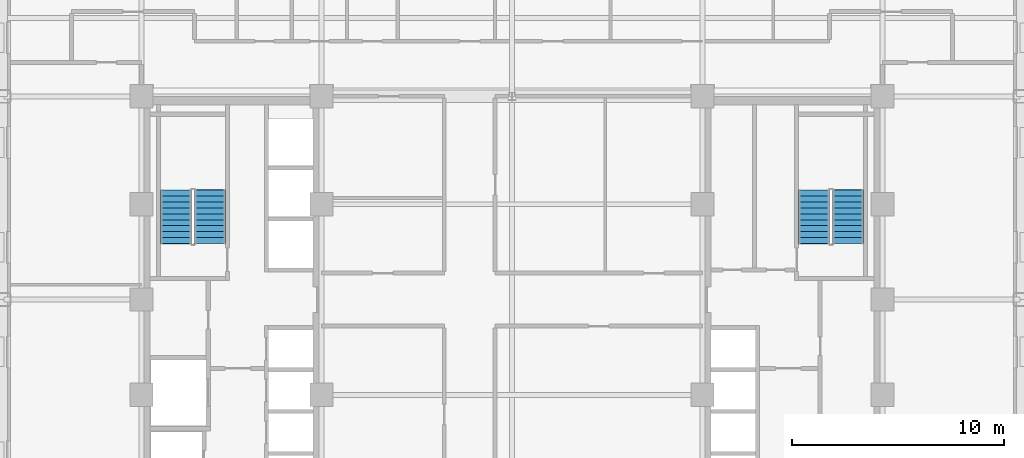
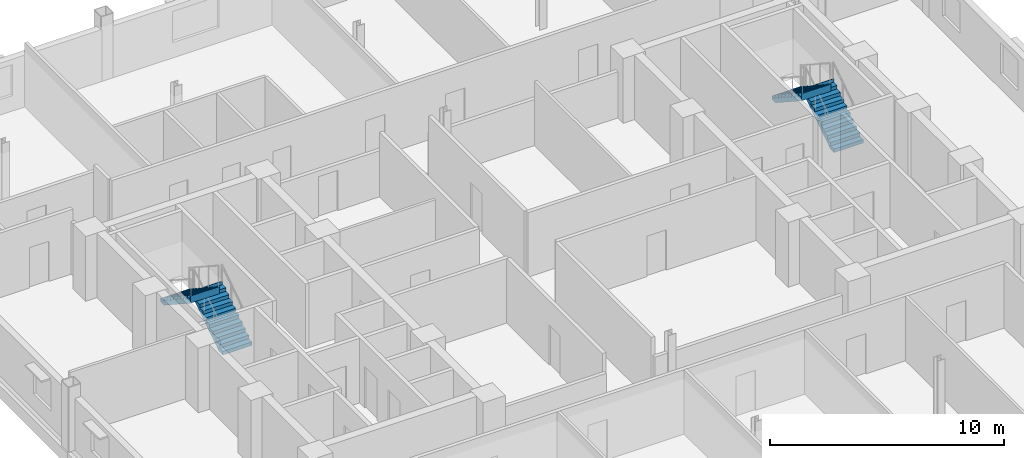
# One storey, part 10 of 14: 4 stair flights, 2 elements without a shape of their own.
"""IFC4 building model written with IfcOpenShell, lengths in metres."""

import ifcopenshell
import ifcopenshell.guid

model = None  # the IFC model being written
_history = None  # IfcOwnerHistory: only IFC2X3 demands one
_inside = {}  # id of a spatial element -> (the spatial element, [elements in it])
_under = {}  # id of a project, library or spatial element -> (it, [spatial elements below it])
_declared = {}  # id of a project -> (the project, [libraries it declares])
_typed = {}  # id of a type object -> (the type object, [elements of that type])
_made_of = {}  # id of a material, layer set ... -> (it, [elements and type objects made of it])


def new_model(schema):
    """Start an empty IFC model of exactly this schema.

    Asked for "IFC4X3", IfcOpenShell would pick the latest addendum, in which some entities
    have other attributes; the version numbers below select the first issue.
    IFC2X3 requires an IfcOwnerHistory on every rooted entity: one is made here for all.
    """
    global model, _history
    if schema == "IFC4X3":
        model = ifcopenshell.file(schema_version=(4, 3, 0, 0))
    else:
        model = ifcopenshell.file(schema=schema)
    _inside.clear()
    _under.clear()
    _declared.clear()
    _typed.clear()
    _made_of.clear()
    _history = None
    if model.schema == "IFC2X3":
        org = make("IfcOrganization", Name="unknown")
        user = make(
            "IfcPersonAndOrganization",
            ThePerson=make("IfcPerson", FamilyName="unknown"),
            TheOrganization=org,
        )
        app = make(
            "IfcApplication",
            ApplicationDeveloper=org,
            Version="unknown",
            ApplicationFullName="unknown",
            ApplicationIdentifier="unknown",
        )
        _history = make(
            "IfcOwnerHistory",
            OwningUser=user,
            OwningApplication=app,
            ChangeAction="ADDED",
            CreationDate=0,
        )
    return model


def make(cls, **values):
    """One entity of the class cls with the attributes given. An attribute that is None is left unset."""
    return model.create_entity(
        cls, **{name: value for name, value in values.items() if value is not None}
    )


def rooted(cls, **values):
    """An entity with a GlobalId (a new one), such as an element, a storey or a relation."""
    return make(cls, GlobalId=ifcopenshell.guid.new(), OwnerHistory=_history, **values)


def si_unit(unit_type, name, prefix=None):
    """IfcSIUnit, for example si_unit("LENGTHUNIT", "METRE", prefix="MILLI")."""
    return make("IfcSIUnit", UnitType=unit_type, Prefix=prefix, Name=name)


def assignment(units):
    """IfcUnitAssignment: the units of a project."""
    return None if units is None else make("IfcUnitAssignment", Units=units)


def point(xyz):
    """IfcCartesianPoint."""
    return None if xyz is None else make("IfcCartesianPoint", Coordinates=xyz)


def direction(xyz):
    """IfcDirection."""
    return None if xyz is None else make("IfcDirection", DirectionRatios=xyz)


def frame(location, z_axis=None, x_axis=None):
    """IfcAxis2Placement3D, a coordinate frame: its origin and axes. An axis left out is left unset."""
    return make(
        "IfcAxis2Placement3D",
        Location=point(location),
        Axis=direction(z_axis),
        RefDirection=direction(x_axis),
    )


def origin():
    """The frame at (0, 0, 0) with its axes left unset."""
    return frame((0.0, 0.0, 0.0))


def place(relative_to, where):
    """IfcLocalPlacement: puts the frame where relative to a parent placement (None: the world)."""
    return make(
        "IfcLocalPlacement", PlacementRelTo=relative_to, RelativePlacement=where
    )


def context(
    kind, dimensions, precision=None, world=None, true_north=None, identifier=None
):
    """IfcGeometricRepresentationContext, for example the 3D "Model" context."""
    return make(
        "IfcGeometricRepresentationContext",
        ContextIdentifier=identifier,
        ContextType=kind,
        CoordinateSpaceDimension=dimensions,
        Precision=precision,
        WorldCoordinateSystem=world,
        TrueNorth=true_north,
    )


def subcontext(parent, identifier, kind, view, scale=None):
    """IfcGeometricRepresentationSubContext, for example "Body" below "Model"."""
    return make(
        "IfcGeometricRepresentationSubContext",
        ContextIdentifier=identifier,
        ContextType=kind,
        ParentContext=parent,
        TargetScale=scale,
        TargetView=view,
    )


def project(units=None, contexts=None):
    """IfcProject with its units and contexts."""
    return rooted(
        "IfcProject",
        Name="project",
        RepresentationContexts=contexts,
        UnitsInContext=assignment(units),
    )


def spatial(cls, under=None, at=None, **own):
    """A site, building, storey or space (cls), placed at a placement, below another one or the project."""
    s = rooted(cls, ObjectPlacement=at, **own)
    if under is not None:
        _under.setdefault(under.id(), (under, []))[1].append(s)
    return s


def polyline(points):
    """IfcPolyline through the points."""
    return make("IfcPolyline", Points=[point(p) for p in points])


def outline(outer, holes=None, kind="AREA"):
    """IfcArbitraryClosedProfileDef: a profile drawn as a closed curve; with holes, ...WithVoids."""
    if holes is None:
        return make("IfcArbitraryClosedProfileDef", ProfileType=kind, OuterCurve=outer)
    return make(
        "IfcArbitraryProfileDefWithVoids",
        ProfileType=kind,
        OuterCurve=outer,
        InnerCurves=holes,
    )


def extrude(swept, where, along, depth):
    """IfcExtrudedAreaSolid: the profile swept, set in the frame where, extruded along a direction by depth."""
    return make(
        "IfcExtrudedAreaSolid",
        SweptArea=swept,
        Position=where,
        ExtrudedDirection=direction(along),
        Depth=depth,
    )


def shape(context_of_items, identifier, shape_type, items):
    """IfcShapeRepresentation: the items that make up one representation, for example the "Body"."""
    return make(
        "IfcShapeRepresentation",
        ContextOfItems=context_of_items,
        RepresentationIdentifier=identifier,
        RepresentationType=shape_type,
        Items=items,
    )


def material(Name=None, Category=None):
    """IfcMaterial."""
    return make("IfcMaterial", Name=Name, Category=Category)


def made_of(thing, what):
    """Note that an element or type object is made of a material, layer set ...; save() writes the relation."""
    if what is not None:
        _made_of.setdefault(what.id(), (what, []))[1].append(thing)
    return thing


def type_object(cls, material=None, **own):
    """A type object (cls), such as IfcWallType, which elements share."""
    return made_of(rooted(cls, **own), material)


def element(
    cls,
    number,
    at=None,
    inside=None,
    cuts=None,
    type_object=None,
    material=None,
    context=None,
    identifier="Body",
    shape_type=None,
    held_by="IfcProductDefinitionShape",
    body=None,
    shapes=None,
    **own,
):
    """One element of the class cls, such as IfcWall. Its Tag is "e" and its number.

    at: its placement. inside: the storey or other place that contains it. cuts: it is an
    opening in that element (IfcRelVoidsElement). A single representation is given by context,
    identifier, shape_type and body (its items); several are given by shapes. held_by: the class
    of the entity that holds the representations. save() writes the other relations.
    """
    e = rooted(cls, Tag="e%d" % number, ObjectPlacement=at, **own)
    if body is not None:
        shapes = [shape(context, identifier, shape_type, body)]
    if shapes is not None:
        e.Representation = make(held_by, Representations=shapes)
    if inside is not None:
        _inside.setdefault(inside.id(), (inside, []))[1].append(e)
    if cuts is not None:
        rooted(
            "IfcRelVoidsElement", RelatingBuildingElement=cuts, RelatedOpeningElement=e
        )
    if type_object is not None:
        _typed.setdefault(type_object.id(), (type_object, []))[1].append(e)
    return made_of(e, material)


def aggregate(whole, parts):
    """IfcRelAggregates: a whole, such as a stair, and the parts it consists of."""
    return rooted("IfcRelAggregates", RelatingObject=whole, RelatedObjects=parts)


def save(model, path):
    """Write the relations noted so far, then the file.

    IfcRelAggregates (storeys below a building ...), IfcRelContainedInSpatialStructure (elements
    in a storey), IfcRelDefinesByType, IfcRelAssociatesMaterial and IfcRelDeclares: one each for
    every whole, place, type object, material and project.
    """
    for whole, parts in _under.values():
        aggregate(whole, parts)
    for where, things in _inside.values():
        rooted(
            "IfcRelContainedInSpatialStructure",
            RelatedElements=things,
            RelatingStructure=where,
        )
    for kind, things in _typed.values():
        rooted("IfcRelDefinesByType", RelatedObjects=things, RelatingType=kind)
    for what, things in _made_of.values():
        rooted("IfcRelAssociatesMaterial", RelatedObjects=things, RelatingMaterial=what)
    for by, libraries in _declared.values():
        rooted("IfcRelDeclares", RelatingContext=by, RelatedDefinitions=libraries)
    model.write(path)


model = new_model("IFC4")

# Units and contexts
model_context = context("Model", 3, precision=1e-05, world=origin(), true_north=direction((0.0, 1.0)))
body_context = subcontext(model_context, "Body", "Model", "MODEL_VIEW")
ifc_project = project(units=[si_unit("LENGTHUNIT", "METRE"), si_unit("AREAUNIT", "SQUARE_METRE"), si_unit("VOLUMEUNIT", "CUBIC_METRE"), si_unit("PLANEANGLEUNIT", "RADIAN"), si_unit("MASSUNIT", "GRAM", prefix="KILO")], contexts=[model_context])

# Site, building, storey
site_placement = place(None, origin())
site = spatial("IfcSite", under=ifc_project, at=site_placement, CompositionType="ELEMENT")
building_placement = place(site_placement, origin())
building = spatial("IfcBuilding", under=site, at=building_placement, Name="Nuvemarco Arch Tower", CompositionType="ELEMENT")
storey_placement = place(building_placement, frame((0.0, 0.0, 101.949951171875)))
storey = spatial("IfcBuildingStorey", under=building, at=storey_placement, Name="L26", CompositionType="ELEMENT", Elevation=101.949951171875)

# Stair, stair flights
ifc_material = material(Name="Precast concrete C45/55", Category="concrete")
stair_type = type_object("IfcStairType", Name="ST-CORE-20R", PredefinedType="HALF_TURN_STAIR", material=ifc_material)
stair_1_placement = place(storey_placement, origin())
stair_1 = element("IfcStair", 1, at=stair_1_placement, inside=storey, type_object=stair_type, Name="L26 Protected Exit Stair ST-1", PredefinedType="HALF_TURN_STAIR")
stair_flight_type = type_object("IfcStairFlightType", Name="SF-CORE-20R", PredefinedType="STRAIGHT", material=ifc_material)
stair_flight_1_placement = place(storey_placement, frame((-14.264892578125, 2.64990234375, 0.0), z_axis=(0.0, 0.0, 1.0), x_axis=(0.0, 1.0, 0.0)))
stair_flight_1 = element("IfcStairFlight", 2, at=stair_flight_1_placement, type_object=stair_flight_type, Name="ST-20R flight 1", NumberOfRisers=10, NumberOfTreads=9, PredefinedType="STRAIGHT", RiserHeight=0.1825, TreadLength=0.28, context=body_context, shape_type="SweptSolid", body=[
    extrude(outline(polyline([(0.0, 0.0), (0.0, 0.1826171875), (0.280029296875, 0.1826171875), (0.280029296875, 0.364990234375), (0.56005859375, 0.364990234375), (0.56005859375, 0.547607421875), (0.840087890625, 0.547607421875), (0.840087890625, 0.72998046875), (1.1201171875, 0.72998046875), (1.1201171875, 0.91259765625), (1.39990234375, 0.91259765625), (1.39990234375, 1.094970703125), (1.679931640625, 1.094970703125), (1.679931640625, 1.277587890625), (1.9599609375, 1.277587890625), (1.9599609375, 1.4599609375), (2.239990234375, 1.4599609375), (2.239990234375, 1.642578125), (2.52001953125, 1.642578125), (2.52001953125, 1.824951171875), (2.5400390625, 1.824951171875), (2.5400390625, 1.45166015625), (0.312744140625, 0.0), (0.0, 0.0)])), frame((0.0, 0.72509765625, 0.0), z_axis=(0.0, -1.0, 0.0), x_axis=(1.0, 0.0, 0.0)), (0.0, 0.0, 1.0), 1.449951171875),
])
stair_flight_2_placement = place(storey_placement, frame((-15.875, 5.169921875, 1.824951171875), z_axis=(0.0, 0.0, 1.0), x_axis=(0.0, -1.0, 0.0)))
stair_flight_2 = element("IfcStairFlight", 3, at=stair_flight_2_placement, type_object=stair_flight_type, Name="ST-20R flight 2", NumberOfRisers=10, NumberOfTreads=9, PredefinedType="STRAIGHT", RiserHeight=0.1825, TreadLength=0.28, context=body_context, shape_type="SweptSolid", body=[
    extrude(outline(polyline([(0.0, 0.0), (0.0, 0.1826171875), (0.280029296875, 0.1826171875), (0.280029296875, 0.364990234375), (0.56005859375, 0.364990234375), (0.56005859375, 0.547607421875), (0.840087890625, 0.547607421875), (0.840087890625, 0.72998046875), (1.1201171875, 0.72998046875), (1.1201171875, 0.91259765625), (1.39990234375, 0.91259765625), (1.39990234375, 1.094970703125), (1.679931640625, 1.094970703125), (1.679931640625, 1.277587890625), (1.9599609375, 1.277587890625), (1.9599609375, 1.4599609375), (2.239990234375, 1.4599609375), (2.239990234375, 1.642578125), (2.52001953125, 1.642578125), (2.52001953125, 1.824951171875), (2.5400390625, 1.824951171875), (2.5400390625, 1.45166015625), (0.312744140625, 0.0), (0.0, 0.0)])), frame((0.0, 0.72509765625, 0.0), z_axis=(0.0, -1.0, 0.0), x_axis=(1.0, 0.0, 0.0)), (0.0, 0.0, 1.0), 1.449951171875),
])
aggregate(stair_1, [stair_flight_1, stair_flight_2])

stair_2_placement = place(storey_placement, origin())
stair_2 = element("IfcStair", 4, at=stair_2_placement, inside=storey, type_object=stair_type, Name="L26 Protected Exit Stair ST-2", PredefinedType="HALF_TURN_STAIR")
stair_flight_3_placement = place(storey_placement, frame((15.875, 2.64990234375, 0.0), z_axis=(0.0, 0.0, 1.0), x_axis=(0.0, 1.0, 0.0)))
stair_flight_3 = element("IfcStairFlight", 5, at=stair_flight_3_placement, type_object=stair_flight_type, Name="ST-20R flight 1", NumberOfRisers=10, NumberOfTreads=9, PredefinedType="STRAIGHT", RiserHeight=0.1825, TreadLength=0.28, context=body_context, shape_type="SweptSolid", body=[
    extrude(outline(polyline([(0.0, 0.0), (0.0, 0.1826171875), (0.280029296875, 0.1826171875), (0.280029296875, 0.364990234375), (0.56005859375, 0.364990234375), (0.56005859375, 0.547607421875), (0.840087890625, 0.547607421875), (0.840087890625, 0.72998046875), (1.1201171875, 0.72998046875), (1.1201171875, 0.91259765625), (1.39990234375, 0.91259765625), (1.39990234375, 1.094970703125), (1.679931640625, 1.094970703125), (1.679931640625, 1.277587890625), (1.9599609375, 1.277587890625), (1.9599609375, 1.4599609375), (2.239990234375, 1.4599609375), (2.239990234375, 1.642578125), (2.52001953125, 1.642578125), (2.52001953125, 1.824951171875), (2.5400390625, 1.824951171875), (2.5400390625, 1.45166015625), (0.312744140625, 0.0), (0.0, 0.0)])), frame((0.0, 0.72509765625, 0.0), z_axis=(0.0, -1.0, 0.0), x_axis=(1.0, 0.0, 0.0)), (0.0, 0.0, 1.0), 1.449951171875),
])
stair_flight_4_placement = place(storey_placement, frame((14.264892578125, 5.169921875, 1.824951171875), z_axis=(0.0, 0.0, 1.0), x_axis=(0.0, -1.0, 0.0)))
stair_flight_4 = element("IfcStairFlight", 6, at=stair_flight_4_placement, type_object=stair_flight_type, Name="ST-20R flight 2", NumberOfRisers=10, NumberOfTreads=9, PredefinedType="STRAIGHT", RiserHeight=0.1825, TreadLength=0.28, context=body_context, shape_type="SweptSolid", body=[
    extrude(outline(polyline([(0.0, 0.0), (0.0, 0.1826171875), (0.280029296875, 0.1826171875), (0.280029296875, 0.364990234375), (0.56005859375, 0.364990234375), (0.56005859375, 0.547607421875), (0.840087890625, 0.547607421875), (0.840087890625, 0.72998046875), (1.1201171875, 0.72998046875), (1.1201171875, 0.91259765625), (1.39990234375, 0.91259765625), (1.39990234375, 1.094970703125), (1.679931640625, 1.094970703125), (1.679931640625, 1.277587890625), (1.9599609375, 1.277587890625), (1.9599609375, 1.4599609375), (2.239990234375, 1.4599609375), (2.239990234375, 1.642578125), (2.52001953125, 1.642578125), (2.52001953125, 1.824951171875), (2.5400390625, 1.824951171875), (2.5400390625, 1.45166015625), (0.312744140625, 0.0), (0.0, 0.0)])), frame((0.0, 0.72509765625, 0.0), z_axis=(0.0, -1.0, 0.0), x_axis=(1.0, 0.0, 0.0)), (0.0, 0.0, 1.0), 1.449951171875),
])
aggregate(stair_2, [stair_flight_3, stair_flight_4])

save(model, "model.ifc")
